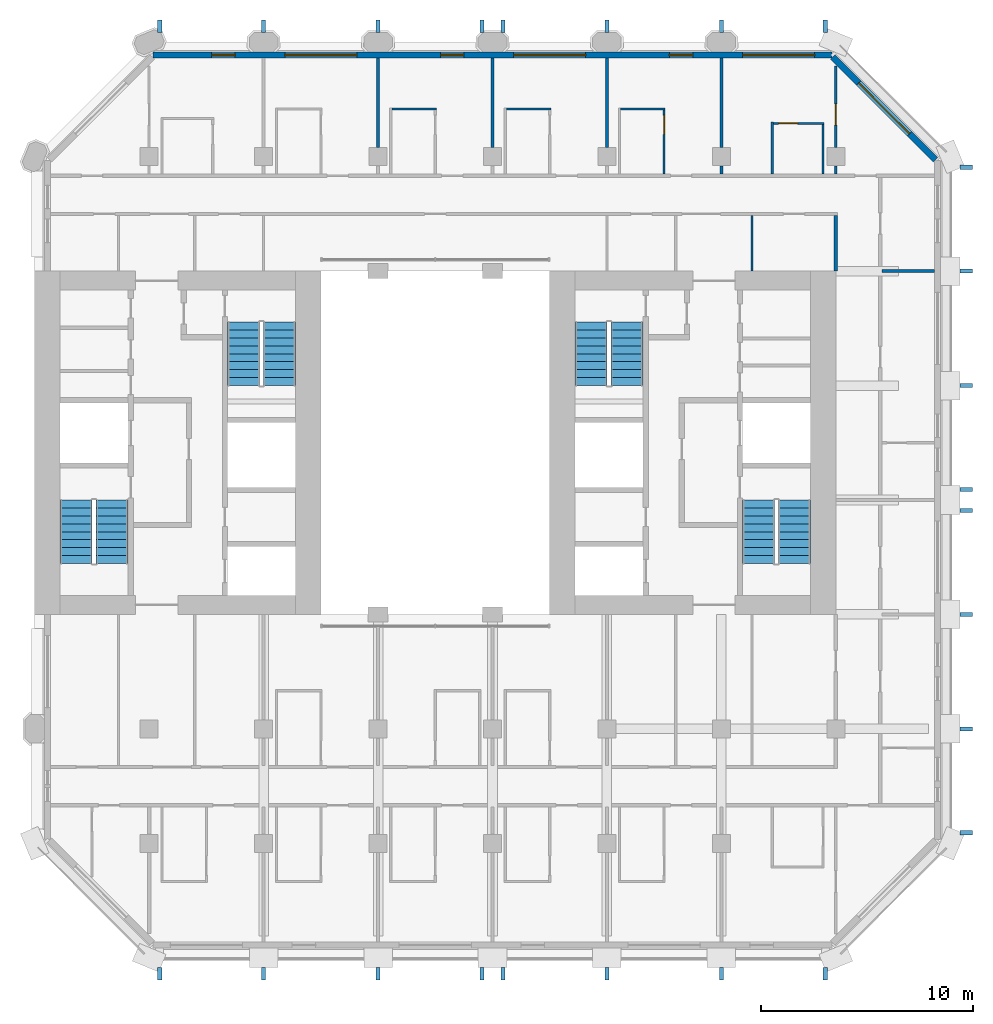
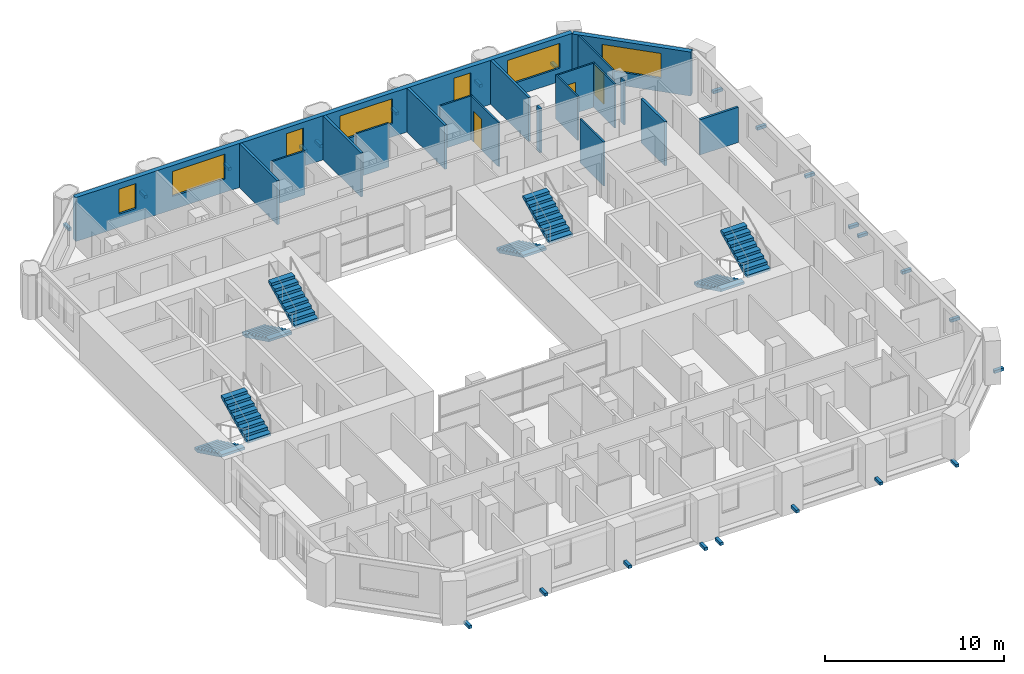
# One storey, part 11 of 13: 24 discrete accessories, 19 walls, 8 stair flights, 7 windows, 3 doors, 10 openings, 4 elements without a shape of their own.
"""IFC4 building model written with IfcOpenShell, lengths in metres."""

import ifcopenshell
import ifcopenshell.guid

model = None  # the IFC model being written
_history = None  # IfcOwnerHistory: only IFC2X3 demands one
_inside = {}  # id of a spatial element -> (the spatial element, [elements in it])
_under = {}  # id of a project, library or spatial element -> (it, [spatial elements below it])
_declared = {}  # id of a project -> (the project, [libraries it declares])
_typed = {}  # id of a type object -> (the type object, [elements of that type])
_made_of = {}  # id of a material, layer set ... -> (it, [elements and type objects made of it])


def new_model(schema):
    """Start an empty IFC model of exactly this schema.

    Asked for "IFC4X3", IfcOpenShell would pick the latest addendum, in which some entities
    have other attributes; the version numbers below select the first issue.
    IFC2X3 requires an IfcOwnerHistory on every rooted entity: one is made here for all.
    """
    global model, _history
    if schema == "IFC4X3":
        model = ifcopenshell.file(schema_version=(4, 3, 0, 0))
    else:
        model = ifcopenshell.file(schema=schema)
    _inside.clear()
    _under.clear()
    _declared.clear()
    _typed.clear()
    _made_of.clear()
    _history = None
    if model.schema == "IFC2X3":
        org = make("IfcOrganization", Name="unknown")
        user = make(
            "IfcPersonAndOrganization",
            ThePerson=make("IfcPerson", FamilyName="unknown"),
            TheOrganization=org,
        )
        app = make(
            "IfcApplication",
            ApplicationDeveloper=org,
            Version="unknown",
            ApplicationFullName="unknown",
            ApplicationIdentifier="unknown",
        )
        _history = make(
            "IfcOwnerHistory",
            OwningUser=user,
            OwningApplication=app,
            ChangeAction="ADDED",
            CreationDate=0,
        )
    return model


def make(cls, **values):
    """One entity of the class cls with the attributes given. An attribute that is None is left unset."""
    return model.create_entity(
        cls, **{name: value for name, value in values.items() if value is not None}
    )


def rooted(cls, **values):
    """An entity with a GlobalId (a new one), such as an element, a storey or a relation."""
    return make(cls, GlobalId=ifcopenshell.guid.new(), OwnerHistory=_history, **values)


def si_unit(unit_type, name, prefix=None):
    """IfcSIUnit, for example si_unit("LENGTHUNIT", "METRE", prefix="MILLI")."""
    return make("IfcSIUnit", UnitType=unit_type, Prefix=prefix, Name=name)


def assignment(units):
    """IfcUnitAssignment: the units of a project."""
    return None if units is None else make("IfcUnitAssignment", Units=units)


def point(xyz):
    """IfcCartesianPoint."""
    return None if xyz is None else make("IfcCartesianPoint", Coordinates=xyz)


def direction(xyz):
    """IfcDirection."""
    return None if xyz is None else make("IfcDirection", DirectionRatios=xyz)


def frame(location, z_axis=None, x_axis=None):
    """IfcAxis2Placement3D, a coordinate frame: its origin and axes. An axis left out is left unset."""
    return make(
        "IfcAxis2Placement3D",
        Location=point(location),
        Axis=direction(z_axis),
        RefDirection=direction(x_axis),
    )


def frame_2d(location, x_axis=None):
    """IfcAxis2Placement2D, a coordinate frame in the plane: its origin and x axis."""
    return make(
        "IfcAxis2Placement2D", Location=point(location), RefDirection=direction(x_axis)
    )


def origin():
    """The frame at (0, 0, 0) with its axes left unset."""
    return frame((0.0, 0.0, 0.0))


def origin_2d():
    """The frame at (0, 0) in the plane with its x axis left unset."""
    return frame_2d((0.0, 0.0))


def place(relative_to, where):
    """IfcLocalPlacement: puts the frame where relative to a parent placement (None: the world)."""
    return make(
        "IfcLocalPlacement", PlacementRelTo=relative_to, RelativePlacement=where
    )


def context(
    kind, dimensions, precision=None, world=None, true_north=None, identifier=None
):
    """IfcGeometricRepresentationContext, for example the 3D "Model" context."""
    return make(
        "IfcGeometricRepresentationContext",
        ContextIdentifier=identifier,
        ContextType=kind,
        CoordinateSpaceDimension=dimensions,
        Precision=precision,
        WorldCoordinateSystem=world,
        TrueNorth=true_north,
    )


def subcontext(parent, identifier, kind, view, scale=None):
    """IfcGeometricRepresentationSubContext, for example "Body" below "Model"."""
    return make(
        "IfcGeometricRepresentationSubContext",
        ContextIdentifier=identifier,
        ContextType=kind,
        ParentContext=parent,
        TargetScale=scale,
        TargetView=view,
    )


def project(units=None, contexts=None):
    """IfcProject with its units and contexts."""
    return rooted(
        "IfcProject",
        Name="project",
        RepresentationContexts=contexts,
        UnitsInContext=assignment(units),
    )


def spatial(cls, under=None, at=None, **own):
    """A site, building, storey or space (cls), placed at a placement, below another one or the project."""
    s = rooted(cls, ObjectPlacement=at, **own)
    if under is not None:
        _under.setdefault(under.id(), (under, []))[1].append(s)
    return s


def polyline(points):
    """IfcPolyline through the points."""
    return make("IfcPolyline", Points=[point(p) for p in points])


def profile(cls, at=None, kind="AREA", **sizes):
    """A parametric profile (cls). Its sizes go by their IFC names, for example OverallWidth=200.0."""
    return make(cls, ProfileType=kind, Position=at, **sizes)


def rectangle(**sizes):
    """IfcRectangleProfileDef."""
    return profile("IfcRectangleProfileDef", **sizes)


def outline(outer, holes=None, kind="AREA"):
    """IfcArbitraryClosedProfileDef: a profile drawn as a closed curve; with holes, ...WithVoids."""
    if holes is None:
        return make("IfcArbitraryClosedProfileDef", ProfileType=kind, OuterCurve=outer)
    return make(
        "IfcArbitraryProfileDefWithVoids",
        ProfileType=kind,
        OuterCurve=outer,
        InnerCurves=holes,
    )


def extrude(swept, where, along, depth):
    """IfcExtrudedAreaSolid: the profile swept, set in the frame where, extruded along a direction by depth."""
    return make(
        "IfcExtrudedAreaSolid",
        SweptArea=swept,
        Position=where,
        ExtrudedDirection=direction(along),
        Depth=depth,
    )


def shape(context_of_items, identifier, shape_type, items):
    """IfcShapeRepresentation: the items that make up one representation, for example the "Body"."""
    return make(
        "IfcShapeRepresentation",
        ContextOfItems=context_of_items,
        RepresentationIdentifier=identifier,
        RepresentationType=shape_type,
        Items=items,
    )


def material(Name=None, Category=None):
    """IfcMaterial."""
    return make("IfcMaterial", Name=Name, Category=Category)


def layer(
    of_material, thickness, ventilated=None, Name=None, Category=None, Priority=None
):
    """IfcMaterialLayer: one layer of a wall or slab, of a material (None: an air gap)."""
    return make(
        "IfcMaterialLayer",
        Material=of_material,
        LayerThickness=thickness,
        IsVentilated=ventilated,
        Name=Name,
        Category=Category,
        Priority=Priority,
    )


def layer_set(layers, Name=None):
    """IfcMaterialLayerSet."""
    return make("IfcMaterialLayerSet", MaterialLayers=layers, LayerSetName=Name)


def made_of(thing, what):
    """Note that an element or type object is made of a material, layer set ...; save() writes the relation."""
    if what is not None:
        _made_of.setdefault(what.id(), (what, []))[1].append(thing)
    return thing


def type_object(cls, material=None, **own):
    """A type object (cls), such as IfcWallType, which elements share."""
    return made_of(rooted(cls, **own), material)


def element(
    cls,
    number,
    at=None,
    inside=None,
    cuts=None,
    type_object=None,
    material=None,
    context=None,
    identifier="Body",
    shape_type=None,
    held_by="IfcProductDefinitionShape",
    body=None,
    shapes=None,
    **own,
):
    """One element of the class cls, such as IfcWall. Its Tag is "e" and its number.

    at: its placement. inside: the storey or other place that contains it. cuts: it is an
    opening in that element (IfcRelVoidsElement). A single representation is given by context,
    identifier, shape_type and body (its items); several are given by shapes. held_by: the class
    of the entity that holds the representations. save() writes the other relations.
    """
    e = rooted(cls, Tag="e%d" % number, ObjectPlacement=at, **own)
    if body is not None:
        shapes = [shape(context, identifier, shape_type, body)]
    if shapes is not None:
        e.Representation = make(held_by, Representations=shapes)
    if inside is not None:
        _inside.setdefault(inside.id(), (inside, []))[1].append(e)
    if cuts is not None:
        rooted(
            "IfcRelVoidsElement", RelatingBuildingElement=cuts, RelatedOpeningElement=e
        )
    if type_object is not None:
        _typed.setdefault(type_object.id(), (type_object, []))[1].append(e)
    return made_of(e, material)


def fill(opening, filler):
    """IfcRelFillsElement: the door or window that sits in an opening."""
    return rooted(
        "IfcRelFillsElement",
        RelatingOpeningElement=opening,
        RelatedBuildingElement=filler,
    )


def aggregate(whole, parts):
    """IfcRelAggregates: a whole, such as a stair, and the parts it consists of."""
    return rooted("IfcRelAggregates", RelatingObject=whole, RelatedObjects=parts)


def save(model, path):
    """Write the relations noted so far, then the file.

    IfcRelAggregates (storeys below a building ...), IfcRelContainedInSpatialStructure (elements
    in a storey), IfcRelDefinesByType, IfcRelAssociatesMaterial and IfcRelDeclares: one each for
    every whole, place, type object, material and project.
    """
    for whole, parts in _under.values():
        aggregate(whole, parts)
    for where, things in _inside.values():
        rooted(
            "IfcRelContainedInSpatialStructure",
            RelatedElements=things,
            RelatingStructure=where,
        )
    for kind, things in _typed.values():
        rooted("IfcRelDefinesByType", RelatedObjects=things, RelatingType=kind)
    for what, things in _made_of.values():
        rooted("IfcRelAssociatesMaterial", RelatedObjects=things, RelatingMaterial=what)
    for by, libraries in _declared.values():
        rooted("IfcRelDeclares", RelatingContext=by, RelatedDefinitions=libraries)
    model.write(path)


model = new_model("IFC4")

# Units and contexts
model_context = context("Model", 3, precision=1e-05, world=origin(), true_north=direction((0.0, 1.0)))
body_context = subcontext(model_context, "Body", "Model", "MODEL_VIEW")
ifc_project = project(units=[si_unit("LENGTHUNIT", "METRE"), si_unit("AREAUNIT", "SQUARE_METRE"), si_unit("VOLUMEUNIT", "CUBIC_METRE"), si_unit("PLANEANGLEUNIT", "RADIAN"), si_unit("MASSUNIT", "GRAM", prefix="KILO")], contexts=[model_context])

# Site, building, storey
site_placement = place(None, origin())
site = spatial("IfcSite", under=ifc_project, at=site_placement, CompositionType="ELEMENT")
building_placement = place(site_placement, origin())
building = spatial("IfcBuilding", under=site, at=building_placement, Name="Tabaq Tower and Sports Hall", CompositionType="ELEMENT")
storey_placement = place(building_placement, frame((0.0, 0.0, 159.39990234375)))
storey = spatial("IfcBuildingStorey", under=building, at=storey_placement, Name="L37", CompositionType="ELEMENT", Elevation=159.39990234375)

# Walls
ifc_material_1 = material(Name="Gypsum board on steel studs", Category="steel")
ifc_layer_1 = layer(ifc_material_1, 0.10009765625)
ifc_layer_set_1 = layer_set([ifc_layer_1], Name="Partition 100 Gypsum board")
wall_type_1 = type_object("IfcWallType", Name="Partition 100 Gypsum board", PredefinedType="PARTITIONING", material=ifc_layer_set_1)
for number, where, z_axis, x_axis, name in (
    (1, (22.25, 40.050048828125, 0.0), (0.0, 0.0, 1.0), (1.0, 0.0, 0.0), "Partition wall L37"),
    (2, (27.64990234375, 40.050048828125, 0.0), (0.0, 0.0, 1.0), (1.0, 0.0, 0.0), "Partition wall L37"),
):
    element("IfcWall", number, at=place(storey_placement, frame(where, z_axis=z_axis, x_axis=x_axis)), inside=storey, type_object=wall_type_1, Name=name, PredefinedType="PARTITIONING", context=body_context, shape_type="SweptSolid", body=[
        extrude(rectangle(XDim=2.10009765625, YDim=0.10009765625, at=frame_2d((1.050048828125, 0.0))), origin(), (0.0, 0.0, 1.0), 3.0),
    ])
wall_1_placement = place(storey_placement, frame((33.050048828125, 40.050048828125, 0.0), z_axis=(0.0, 0.0, 1.0), x_axis=(1.0, 0.0, 0.0)))
element("IfcWall", 3, at=wall_1_placement, inside=storey, type_object=wall_type_1, Name="Partition wall L37", PredefinedType="PARTITIONING", context=body_context, shape_type="SweptSolid", body=[
    extrude(rectangle(XDim=2.099853515625, YDim=0.10009765625, at=frame_2d((1.0498046875, 0.0))), origin(), (0.0, 0.0, 1.0), 3.0),
])

# Wall, opening, door
wall_2_placement = place(storey_placement, frame((35.10009765625, 40.0, 0.0), z_axis=(0.0, 0.0, 1.0), x_axis=(0.0, -1.0, 0.0)))
wall_2 = element("IfcWall", 4, at=wall_2_placement, inside=storey, type_object=wall_type_1, Name="Partition wall L37", PredefinedType="PARTITIONING", context=body_context, shape_type="SweptSolid", body=[
    extrude(rectangle(XDim=3.02490234375, YDim=0.10009765625, at=frame_2d((1.512451171875, 0.0))), origin(), (0.0, 0.0, 1.0), 3.0),
])
opening_1_placement = place(wall_2_placement, frame((0.25, 0.0, 0.0)))
opening_1 = element("IfcOpeningElement", 5, at=opening_1_placement, cuts=wall_2, Name="Opening L37-006", PredefinedType="OPENING", context=body_context, shape_type="SweptSolid", body=[
    extrude(rectangle(XDim=0.89990234375, YDim=2.10009765625, at=frame_2d((0.449951171875, 1.050048828125))), frame((0.0, 0.050048828125, 0.0), z_axis=(0.0, -1.0, 0.0), x_axis=(1.0, 0.0, 0.0)), (0.0, 0.0, 1.0), 0.10009765625),
])
ifc_material_2 = material(Name="Timber leaf in steel frame", Category="steel")
door_type_1 = type_object("IfcDoorType", Name="Internal door 900 left hand", OperationType="SINGLE_SWING_LEFT", PredefinedType="DOOR", material=ifc_material_2)
door_1_placement = place(opening_1_placement, origin())
door_1 = element("IfcDoor", 6, at=door_1_placement, inside=storey, type_object=door_type_1, Name="Internal door L37-006", OperationType="SINGLE_SWING_LEFT", OverallHeight=2.10009765625, OverallWidth=0.89990234375, PredefinedType="DOOR", context=body_context, shape_type="SweptSolid", body=[
    extrude(rectangle(XDim=0.89990234375, YDim=2.10009765625, at=frame_2d((0.449951171875, 1.050048828125))), frame((0.0, 0.02490234375, 0.0), z_axis=(0.0, -1.0, 0.0), x_axis=(1.0, 0.0, 0.0)), (0.0, 0.0, 1.0), 0.050048828125),
])
fill(opening_1, door_1)

# Wall
wall_3_placement = place(storey_placement, frame((40.199951171875, 36.97509765625, 0.0), z_axis=(0.0, 0.0, 1.0), x_axis=(0.0, 1.0, 0.0)))
element("IfcWall", 7, at=wall_3_placement, inside=storey, type_object=wall_type_1, Name="Partition wall L37", PredefinedType="PARTITIONING", context=body_context, shape_type="SweptSolid", body=[
    extrude(rectangle(XDim=2.449951171875, YDim=0.10009765625, at=frame_2d((1.22509765625, 0.0))), origin(), (0.0, 0.0, 1.0), 3.0),
])

# Wall, opening, door
wall_4_placement = place(storey_placement, frame((40.25, 39.375, 0.0), z_axis=(0.0, 0.0, 1.0), x_axis=(1.0, 0.0, 0.0)))
wall_4 = element("IfcWall", 8, at=wall_4_placement, inside=storey, type_object=wall_type_1, Name="Partition wall L37", PredefinedType="PARTITIONING", context=body_context, shape_type="SweptSolid", body=[
    extrude(rectangle(XDim=2.39990234375, YDim=0.10009765625, at=frame_2d((1.199951171875, 0.0))), origin(), (0.0, 0.0, 1.0), 3.0),
])
opening_2_placement = place(wall_4_placement, frame((0.25, 0.0, 0.0)))
opening_2 = element("IfcOpeningElement", 9, at=opening_2_placement, cuts=wall_4, Name="Opening L37-007", PredefinedType="OPENING", context=body_context, shape_type="SweptSolid", body=[
    extrude(rectangle(XDim=0.89990234375, YDim=2.10009765625, at=frame_2d((0.449951171875, 1.050048828125))), frame((0.0, 0.050048828125, 0.0), z_axis=(0.0, -1.0, 0.0), x_axis=(1.0, 0.0, 0.0)), (0.0, 0.0, 1.0), 0.10009765625),
])
door_2_placement = place(opening_2_placement, origin())
door_2 = element("IfcDoor", 10, at=door_2_placement, inside=storey, type_object=door_type_1, Name="Internal door L37-007", OperationType="SINGLE_SWING_LEFT", OverallHeight=2.10009765625, OverallWidth=0.89990234375, PredefinedType="DOOR", context=body_context, shape_type="SweptSolid", body=[
    extrude(rectangle(XDim=0.89990234375, YDim=2.10009765625, at=frame_2d((0.449951171875, 1.050048828125))), frame((0.0, 0.02490234375, 0.0), z_axis=(0.0, -1.0, 0.0), x_axis=(1.0, 0.0, 0.0)), (0.0, 0.0, 1.0), 0.050048828125),
])
fill(opening_2, door_2)

# Walls
wall_5_placement = place(storey_placement, frame((42.60009765625, 39.324951171875, 0.0), z_axis=(0.0, 0.0, 1.0), x_axis=(0.0, -1.0, 0.0)))
element("IfcWall", 11, at=wall_5_placement, inside=storey, type_object=wall_type_1, Name="Partition wall L37", PredefinedType="PARTITIONING", context=body_context, shape_type="SweptSolid", body=[
    extrude(rectangle(XDim=2.349853515625, YDim=0.10009765625, at=frame_2d((1.1748046875, 0.0))), origin(), (0.0, 0.0, 1.0), 3.0),
])
wall_6_placement = place(storey_placement, frame((43.199951171875, 36.97509765625, 0.0), z_axis=(0.0, 0.0, 1.0), x_axis=(0.0, 1.0, 0.0)))
element("IfcWall", 12, at=wall_6_placement, inside=storey, type_object=wall_type_1, Name="Partition wall L37", PredefinedType="PARTITIONING", context=body_context, shape_type="SweptSolid", body=[
    extrude(rectangle(XDim=0.3798828125, YDim=0.10009765625, at=frame_2d((0.18994140625, 0.0))), origin(), (0.0, 0.0, 1.0), 3.0),
])

# Wall, opening, door
wall_7_placement = place(storey_placement, frame((43.199951171875, 38.2451171875, 0.0), z_axis=(0.0, 0.0, 1.0), x_axis=(0.0, 1.0, 0.0)))
wall_7 = element("IfcWall", 13, at=wall_7_placement, inside=storey, type_object=wall_type_1, Name="Partition wall L37", PredefinedType="PARTITIONING", context=body_context, shape_type="SweptSolid", body=[
    extrude(rectangle(XDim=3.8427734375, YDim=0.10009765625, at=frame_2d((1.92138671875, 0.0))), origin(), (0.0, 0.0, 1.0), 3.0),
])
opening_3_placement = place(wall_7_placement, frame((1.04248046875, 0.0, 0.0)))
opening_3 = element("IfcOpeningElement", 14, at=opening_3_placement, cuts=wall_7, Name="Opening L37-036", PredefinedType="OPENING", context=body_context, shape_type="SweptSolid", body=[
    extrude(rectangle(XDim=1.0, YDim=2.10009765625, at=frame_2d((0.5, 1.050048828125))), frame((0.0, 0.050048828125, 0.0), z_axis=(0.0, -1.0, 0.0), x_axis=(1.0, 0.0, 0.0)), (0.0, 0.0, 1.0), 0.10009765625),
])
ifc_material_3 = material(Name="Timber leaf in steel frame", Category="steel")
door_type_2 = type_object("IfcDoorType", Name="Internal door 1000 left hand", OperationType="SINGLE_SWING_LEFT", PredefinedType="DOOR", material=ifc_material_3)
door_3_placement = place(opening_3_placement, origin())
door_3 = element("IfcDoor", 15, at=door_3_placement, inside=storey, type_object=door_type_2, Name="Internal door L37-036", OperationType="SINGLE_SWING_LEFT", OverallHeight=2.10009765625, OverallWidth=1.0, PredefinedType="DOOR", context=body_context, shape_type="SweptSolid", body=[
    extrude(rectangle(XDim=1.0, YDim=2.10009765625, at=frame_2d((0.5, 1.050048828125))), frame((0.0, 0.02490234375, 0.0), z_axis=(0.0, -1.0, 0.0), x_axis=(1.0, 0.0, 0.0)), (0.0, 0.0, 1.0), 0.050048828125),
])
fill(opening_3, door_3)

# Walls
wall_8_placement = place(storey_placement, frame((39.25, 32.39990234375, 0.0), z_axis=(0.0, 0.0, 1.0), x_axis=(0.0, 1.0, 0.0)))
element("IfcWall", 16, at=wall_8_placement, inside=storey, type_object=wall_type_1, Name="Partition wall L37", PredefinedType="PARTITIONING", context=body_context, shape_type="SweptSolid", body=[
    extrude(rectangle(XDim=2.625, YDim=0.10009765625, at=frame_2d((1.3125, 0.0))), origin(), (0.0, 0.0, 1.0), 3.0),
])
ifc_material_4 = material(Name="Blockwork", Category="masonry")
ifc_layer_2 = layer(ifc_material_4, 0.14990234375)
ifc_layer_set_2 = layer_set([ifc_layer_2], Name="Separating wall 150 Blockwork")
wall_type_2 = type_object("IfcWallType", Name="Separating wall 150 Blockwork", PredefinedType="PARTITIONING", material=ifc_layer_set_2)
wall_9_placement = place(storey_placement, frame((45.375, 32.39990234375, 0.0), z_axis=(0.0, 0.0, 1.0), x_axis=(1.0, 0.0, 0.0)))
element("IfcWall", 17, at=wall_9_placement, inside=storey, type_object=wall_type_2, Name="Separating wall L37", PredefinedType="PARTITIONING", context=body_context, shape_type="SweptSolid", body=[
    extrude(rectangle(XDim=2.47412109375, YDim=0.14990234375, at=frame_2d((1.237060546875, 0.0))), origin(), (0.0, 0.0, 1.0), 2.400146484375),
])
for number, where, z_axis, x_axis, name in (
    (18, (21.60009765625, 38.2451171875, 0.0), (0.0, 0.0, 1.0), (0.0, 1.0, 0.0), "Separating wall L37"),
    (19, (27.0, 38.2451171875, 0.0), (0.0, 0.0, 1.0), (0.0, 1.0, 0.0), "Separating wall L37"),
    (20, (32.39990234375, 38.2451171875, 0.0), (0.0, 0.0, 1.0), (0.0, 1.0, 0.0), "Separating wall L37"),
):
    element("IfcWall", number, at=place(storey_placement, frame(where, z_axis=z_axis, x_axis=x_axis)), inside=storey, type_object=wall_type_2, Name=name, PredefinedType="PARTITIONING", context=body_context, shape_type="SweptSolid", body=[
        extrude(rectangle(XDim=4.203857421875, YDim=0.14990234375, at=frame_2d((2.10205078125, 0.0))), origin(), (0.0, 0.0, 1.0), 3.0),
    ])
wall_10_placement = place(storey_placement, frame((37.800048828125, 36.97509765625, 0.0), z_axis=(0.0, 0.0, 1.0), x_axis=(0.0, 1.0, 0.0)))
element("IfcWall", 21, at=wall_10_placement, inside=storey, type_object=wall_type_2, Name="Separating wall L37", PredefinedType="PARTITIONING", context=body_context, shape_type="SweptSolid", body=[
    extrude(rectangle(XDim=0.3798828125, YDim=0.14990234375, at=frame_2d((0.18994140625, 0.0))), origin(), (0.0, 0.0, 1.0), 3.0),
])
wall_11_placement = place(storey_placement, frame((37.800048828125, 38.2451171875, 0.0), z_axis=(0.0, 0.0, 1.0), x_axis=(0.0, 1.0, 0.0)))
element("IfcWall", 22, at=wall_11_placement, inside=storey, type_object=wall_type_2, Name="Separating wall L37", PredefinedType="PARTITIONING", context=body_context, shape_type="SweptSolid", body=[
    extrude(rectangle(XDim=4.203857421875, YDim=0.14990234375, at=frame_2d((2.10205078125, 0.0))), origin(), (0.0, 0.0, 1.0), 3.0),
])
wall_12_placement = place(storey_placement, frame((43.199951171875, 35.02490234375, 0.0), z_axis=(0.0, 0.0, 1.0), x_axis=(0.0, -1.0, 0.0)))
element("IfcWall", 23, at=wall_12_placement, inside=storey, type_object=wall_type_2, Name="Separating wall L37", PredefinedType="PARTITIONING", context=body_context, shape_type="SweptSolid", body=[
    extrude(rectangle(XDim=2.625, YDim=0.14990234375, at=frame_2d((1.3125, 0.0))), origin(), (0.0, 0.0, 1.0), 3.0),
])

# Wall, opening, window
ifc_material_5 = material(Name="White precast concrete C60/75", Category="concrete")
ifc_layer_3 = layer(ifc_material_5, 0.300048828125)
ifc_layer_set_3 = layer_set([ifc_layer_3], Name="White precast concrete C60/75 external wall 300")
wall_type_3 = type_object("IfcWallType", Name="White precast concrete C60/75 external wall 300", PredefinedType="SOLIDWALL", material=ifc_layer_set_3)
wall_13_placement = place(storey_placement, frame((47.901123046875, 37.650390625, 0.0), z_axis=(0.0, 0.0, 1.0), x_axis=(-0.707106781187, 0.707106781187, 0.0)))
wall_13 = element("IfcWall", 24, at=wall_13_placement, inside=storey, type_object=wall_type_3, Name="External Wall L37 NE", PredefinedType="SOLIDWALL", context=body_context, shape_type="SweptSolid", body=[
    extrude(rectangle(XDim=6.85986328125, YDim=0.300048828125, at=frame_2d((3.429931640625, 0.0))), origin(), (0.0, 0.0, 1.0), 3.0),
])
opening_4_placement = place(wall_13_placement, frame((1.729736328125, 0.0, 0.89990234375)))
opening_4 = element("IfcOpeningElement", 25, at=opening_4_placement, cuts=wall_13, Name="Opening W1A", PredefinedType="OPENING", context=body_context, shape_type="SweptSolid", body=[
    extrude(rectangle(XDim=3.39990234375, YDim=1.699951171875, at=frame_2d((1.699951171875, 0.85009765625))), frame((0.0, 0.16015625, 0.0), z_axis=(0.0, -1.0, 0.0), x_axis=(1.0, 0.0, 0.0)), (0.0, 0.0, 1.0), 0.320068359375),
])
ifc_material_6 = material(Name="Aluminium framed clear glazing", Category="aluminium")
window_type_1 = type_object("IfcWindowType", Name="Window W1A", PartitioningType="SINGLE_PANEL", PredefinedType="WINDOW", material=ifc_material_6)
window_1_placement = place(opening_4_placement, origin())
window_1 = element("IfcWindow", 26, at=window_1_placement, inside=storey, type_object=window_type_1, Name="Window W1A L37", OverallHeight=1.699951171875, OverallWidth=3.39990234375, PartitioningType="SINGLE_PANEL", PredefinedType="WINDOW", context=body_context, shape_type="SweptSolid", body=[
    extrude(rectangle(XDim=3.39990234375, YDim=1.699951171875, at=frame_2d((1.699951171875, 0.85009765625))), frame((0.0, 0.030029296875, 0.0), z_axis=(0.0, -1.0, 0.0), x_axis=(1.0, 0.0, 0.0)), (0.0, 0.0, 1.0), 0.06005859375),
])
fill(opening_4, window_1)

# Wall, openings, windows
wall_14_placement = place(storey_placement, frame((43.013671875, 42.60009765625, 0.0), z_axis=(0.0, 0.0, 1.0), x_axis=(-1.0, 0.0, 0.0)))
wall_14 = element("IfcWall", 27, at=wall_14_placement, inside=storey, type_object=wall_type_3, Name="External Wall L37 N", PredefinedType="SOLIDWALL", context=body_context, shape_type="SweptSolid", body=[
    extrude(rectangle(XDim=32.02734375, YDim=0.300048828125, at=frame_2d((16.013671875, 0.0))), origin(), (0.0, 0.0, 1.0), 3.0),
])
opening_5_placement = place(wall_14_placement, frame((0.813720703125, 0.0, 0.89990234375)))
opening_5 = element("IfcOpeningElement", 28, at=opening_5_placement, cuts=wall_14, Name="Opening W1A", PredefinedType="OPENING", context=body_context, shape_type="SweptSolid", body=[
    extrude(rectangle(XDim=3.39990234375, YDim=1.699951171875, at=frame_2d((1.699951171875, 0.85009765625))), frame((0.0, 0.16015625, 0.0), z_axis=(0.0, -1.0, 0.0), x_axis=(1.0, 0.0, 0.0)), (0.0, 0.0, 1.0), 0.320068359375),
])
opening_6_placement = place(wall_14_placement, frame((6.563720703125, 0.0, 0.89990234375)))
opening_6 = element("IfcOpeningElement", 29, at=opening_6_placement, cuts=wall_14, Name="Opening W1B", PredefinedType="OPENING", context=body_context, shape_type="SweptSolid", body=[
    extrude(rectangle(XDim=1.10009765625, YDim=1.699951171875, at=frame_2d((0.550048828125, 0.85009765625))), frame((0.0, 0.16015625, 0.0), z_axis=(0.0, -1.0, 0.0), x_axis=(1.0, 0.0, 0.0)), (0.0, 0.0, 1.0), 0.320068359375),
])
opening_7_placement = place(wall_14_placement, frame((11.613525390625, 0.0, 0.89990234375)))
opening_7 = element("IfcOpeningElement", 30, at=opening_7_placement, cuts=wall_14, Name="Opening W1A", PredefinedType="OPENING", context=body_context, shape_type="SweptSolid", body=[
    extrude(rectangle(XDim=3.39990234375, YDim=1.699951171875, at=frame_2d((1.699951171875, 0.85009765625))), frame((0.0, 0.16015625, 0.0), z_axis=(0.0, -1.0, 0.0), x_axis=(1.0, 0.0, 0.0)), (0.0, 0.0, 1.0), 0.320068359375),
])
opening_8_placement = place(wall_14_placement, frame((17.363525390625, 0.0, 0.89990234375)))
opening_8 = element("IfcOpeningElement", 31, at=opening_8_placement, cuts=wall_14, Name="Opening W1B", PredefinedType="OPENING", context=body_context, shape_type="SweptSolid", body=[
    extrude(rectangle(XDim=1.10009765625, YDim=1.699951171875, at=frame_2d((0.550048828125, 0.85009765625))), frame((0.0, 0.16015625, 0.0), z_axis=(0.0, -1.0, 0.0), x_axis=(1.0, 0.0, 0.0)), (0.0, 0.0, 1.0), 0.320068359375),
])
opening_9_placement = place(wall_14_placement, frame((22.41357421875, 0.0, 0.89990234375)))
opening_9 = element("IfcOpeningElement", 32, at=opening_9_placement, cuts=wall_14, Name="Opening W1A", PredefinedType="OPENING", context=body_context, shape_type="SweptSolid", body=[
    extrude(rectangle(XDim=3.39990234375, YDim=1.699951171875, at=frame_2d((1.699951171875, 0.85009765625))), frame((0.0, 0.16015625, 0.0), z_axis=(0.0, -1.0, 0.0), x_axis=(1.0, 0.0, 0.0)), (0.0, 0.0, 1.0), 0.320068359375),
])
opening_10_placement = place(wall_14_placement, frame((28.16357421875, 0.0, 0.89990234375)))
opening_10 = element("IfcOpeningElement", 33, at=opening_10_placement, cuts=wall_14, Name="Opening W1B", PredefinedType="OPENING", context=body_context, shape_type="SweptSolid", body=[
    extrude(rectangle(XDim=1.10009765625, YDim=1.699951171875, at=frame_2d((0.550048828125, 0.85009765625))), frame((0.0, 0.16015625, 0.0), z_axis=(0.0, -1.0, 0.0), x_axis=(1.0, 0.0, 0.0)), (0.0, 0.0, 1.0), 0.320068359375),
])
window_2_placement = place(opening_5_placement, origin())
window_2 = element("IfcWindow", 34, at=window_2_placement, inside=storey, type_object=window_type_1, Name="Window W1A L37", OverallHeight=1.699951171875, OverallWidth=3.39990234375, PartitioningType="SINGLE_PANEL", PredefinedType="WINDOW", context=body_context, shape_type="SweptSolid", body=[
    extrude(rectangle(XDim=3.39990234375, YDim=1.699951171875, at=frame_2d((1.699951171875, 0.85009765625))), frame((0.0, 0.030029296875, 0.0), z_axis=(0.0, -1.0, 0.0), x_axis=(1.0, 0.0, 0.0)), (0.0, 0.0, 1.0), 0.06005859375),
])
fill(opening_5, window_2)
window_3_placement = place(opening_7_placement, origin())
window_3 = element("IfcWindow", 35, at=window_3_placement, inside=storey, type_object=window_type_1, Name="Window W1A L37", OverallHeight=1.699951171875, OverallWidth=3.39990234375, PartitioningType="SINGLE_PANEL", PredefinedType="WINDOW", context=body_context, shape_type="SweptSolid", body=[
    extrude(rectangle(XDim=3.39990234375, YDim=1.699951171875, at=frame_2d((1.699951171875, 0.85009765625))), frame((0.0, 0.030029296875, 0.0), z_axis=(0.0, -1.0, 0.0), x_axis=(1.0, 0.0, 0.0)), (0.0, 0.0, 1.0), 0.06005859375),
])
fill(opening_7, window_3)
window_4_placement = place(opening_9_placement, origin())
window_4 = element("IfcWindow", 36, at=window_4_placement, inside=storey, type_object=window_type_1, Name="Window W1A L37", OverallHeight=1.699951171875, OverallWidth=3.39990234375, PartitioningType="SINGLE_PANEL", PredefinedType="WINDOW", context=body_context, shape_type="SweptSolid", body=[
    extrude(rectangle(XDim=3.39990234375, YDim=1.699951171875, at=frame_2d((1.699951171875, 0.85009765625))), frame((0.0, 0.030029296875, 0.0), z_axis=(0.0, -1.0, 0.0), x_axis=(1.0, 0.0, 0.0)), (0.0, 0.0, 1.0), 0.06005859375),
])
fill(opening_9, window_4)
ifc_material_7 = material(Name="Aluminium framed clear glazing", Category="aluminium")
window_type_2 = type_object("IfcWindowType", Name="Window W1B", PartitioningType="SINGLE_PANEL", PredefinedType="WINDOW", material=ifc_material_7)
window_5_placement = place(opening_6_placement, origin())
window_5 = element("IfcWindow", 37, at=window_5_placement, inside=storey, type_object=window_type_2, Name="Window W1B L37", OverallHeight=1.699951171875, OverallWidth=1.10009765625, PartitioningType="SINGLE_PANEL", PredefinedType="WINDOW", context=body_context, shape_type="SweptSolid", body=[
    extrude(rectangle(XDim=1.10009765625, YDim=1.699951171875, at=frame_2d((0.550048828125, 0.85009765625))), frame((0.0, 0.030029296875, 0.0), z_axis=(0.0, -1.0, 0.0), x_axis=(1.0, 0.0, 0.0)), (0.0, 0.0, 1.0), 0.06005859375),
])
fill(opening_6, window_5)
window_6_placement = place(opening_8_placement, origin())
window_6 = element("IfcWindow", 38, at=window_6_placement, inside=storey, type_object=window_type_2, Name="Window W1B L37", OverallHeight=1.699951171875, OverallWidth=1.10009765625, PartitioningType="SINGLE_PANEL", PredefinedType="WINDOW", context=body_context, shape_type="SweptSolid", body=[
    extrude(rectangle(XDim=1.10009765625, YDim=1.699951171875, at=frame_2d((0.550048828125, 0.85009765625))), frame((0.0, 0.030029296875, 0.0), z_axis=(0.0, -1.0, 0.0), x_axis=(1.0, 0.0, 0.0)), (0.0, 0.0, 1.0), 0.06005859375),
])
fill(opening_8, window_6)
window_7_placement = place(opening_10_placement, origin())
window_7 = element("IfcWindow", 39, at=window_7_placement, inside=storey, type_object=window_type_2, Name="Window W1B L37", OverallHeight=1.699951171875, OverallWidth=1.10009765625, PartitioningType="SINGLE_PANEL", PredefinedType="WINDOW", context=body_context, shape_type="SweptSolid", body=[
    extrude(rectangle(XDim=1.10009765625, YDim=1.699951171875, at=frame_2d((0.550048828125, 0.85009765625))), frame((0.0, 0.030029296875, 0.0), z_axis=(0.0, -1.0, 0.0), x_axis=(1.0, 0.0, 0.0)), (0.0, 0.0, 1.0), 0.06005859375),
])
fill(opening_10, window_7)

# Stair, stair flights
ifc_material_8 = material(Name="Concrete C40/50", Category="concrete")
stair_type = type_object("IfcStairType", Name="Exit stair", PredefinedType="HALF_TURN_STAIR", material=ifc_material_8)
stair_1_placement = place(storey_placement, origin())
stair_1 = element("IfcStair", 40, at=stair_1_placement, inside=storey, type_object=stair_type, Name="L37 Exit stair ST1", PredefinedType="HALF_TURN_STAIR")
ifc_material_9 = material(Name="Concrete C40/50", Category="concrete")
stair_flight_type = type_object("IfcStairFlightType", Name="Exit stair flight", PredefinedType="STRAIGHT", material=ifc_material_9)
stair_flight_1_placement = place(storey_placement, frame((7.35009765625, 21.60009765625, 0.0), z_axis=(0.0, 0.0, 1.0), x_axis=(0.0, -1.0, 0.0)))
stair_flight_1 = element("IfcStairFlight", 41, at=stair_flight_1_placement, type_object=stair_flight_type, Name="ST1 flight 1", NumberOfRisers=9, NumberOfTreads=8, PredefinedType="STRAIGHT", RiserHeight=0.183333333, TreadLength=0.375, context=body_context, shape_type="SweptSolid", body=[
    extrude(outline(polyline([(0.0, 0.0), (0.0, 0.183349609375), (0.375, 0.183349609375), (0.375, 0.36669921875), (0.75, 0.36669921875), (0.75, 0.550048828125), (1.125, 0.550048828125), (1.125, 0.7333984375), (1.5, 0.7333984375), (1.5, 0.916748046875), (1.875, 0.916748046875), (1.875, 1.10009765625), (2.25, 1.10009765625), (2.25, 1.283447265625), (2.625, 1.283447265625), (2.625, 1.466552734375), (3.0, 1.466552734375), (3.0, 1.64990234375), (3.0, 1.2998046875), (0.34130859375, 0.0), (0.0, 0.0)])), frame((0.0, 0.75, 0.0), z_axis=(0.0, -1.0, 0.0), x_axis=(1.0, 0.0, 0.0)), (0.0, 0.0, 1.0), 1.5),
])
stair_flight_2_placement = place(storey_placement, frame((9.050048828125, 18.60009765625, 1.650146484375), z_axis=(0.0, 0.0, 1.0), x_axis=(0.0, 1.0, 0.0)))
stair_flight_2 = element("IfcStairFlight", 42, at=stair_flight_2_placement, type_object=stair_flight_type, Name="ST1 flight 2", NumberOfRisers=9, NumberOfTreads=8, PredefinedType="STRAIGHT", RiserHeight=0.183333333, TreadLength=0.375, context=body_context, shape_type="SweptSolid", body=[
    extrude(outline(polyline([(0.0, 0.0), (0.0, 0.183349609375), (0.375, 0.183349609375), (0.375, 0.36669921875), (0.75, 0.36669921875), (0.75, 0.550048828125), (1.125, 0.550048828125), (1.125, 0.7333984375), (1.5, 0.7333984375), (1.5, 0.916748046875), (1.875, 0.916748046875), (1.875, 1.10009765625), (2.25, 1.10009765625), (2.25, 1.283447265625), (2.625, 1.283447265625), (2.625, 1.466552734375), (3.0, 1.466552734375), (3.0, 1.64990234375), (3.0, 1.2998046875), (0.34130859375, 0.0), (0.0, 0.0)])), frame((0.0, 0.75, 0.0), z_axis=(0.0, -1.0, 0.0), x_axis=(1.0, 0.0, 0.0)), (0.0, 0.0, 1.0), 1.5),
])
aggregate(stair_1, [stair_flight_1, stair_flight_2])

stair_2_placement = place(storey_placement, origin())
stair_2 = element("IfcStair", 43, at=stair_2_placement, inside=storey, type_object=stair_type, Name="L37 Exit stair ST2", PredefinedType="HALF_TURN_STAIR")
stair_flight_3_placement = place(storey_placement, frame((15.25, 30.0, 0.0), z_axis=(0.0, 0.0, 1.0), x_axis=(0.0, -1.0, 0.0)))
stair_flight_3 = element("IfcStairFlight", 44, at=stair_flight_3_placement, type_object=stair_flight_type, Name="ST2 flight 1", NumberOfRisers=9, NumberOfTreads=8, PredefinedType="STRAIGHT", RiserHeight=0.183333333, TreadLength=0.375, context=body_context, shape_type="SweptSolid", body=[
    extrude(outline(polyline([(0.0, 0.0), (0.0, 0.183349609375), (0.375, 0.183349609375), (0.375, 0.36669921875), (0.75, 0.36669921875), (0.75, 0.550048828125), (1.125, 0.550048828125), (1.125, 0.7333984375), (1.5, 0.7333984375), (1.5, 0.916748046875), (1.875, 0.916748046875), (1.875, 1.10009765625), (2.25, 1.10009765625), (2.25, 1.283447265625), (2.625, 1.283447265625), (2.625, 1.466552734375), (3.0, 1.466552734375), (3.0, 1.64990234375), (3.0, 1.2998046875), (0.34130859375, 0.0), (0.0, 0.0)])), frame((0.0, 0.75, 0.0), z_axis=(0.0, -1.0, 0.0), x_axis=(1.0, 0.0, 0.0)), (0.0, 0.0, 1.0), 1.5),
])
stair_flight_4_placement = place(storey_placement, frame((16.949951171875, 27.0, 1.650146484375), z_axis=(0.0, 0.0, 1.0), x_axis=(0.0, 1.0, 0.0)))
stair_flight_4 = element("IfcStairFlight", 45, at=stair_flight_4_placement, type_object=stair_flight_type, Name="ST2 flight 2", NumberOfRisers=9, NumberOfTreads=8, PredefinedType="STRAIGHT", RiserHeight=0.183333333, TreadLength=0.375, context=body_context, shape_type="SweptSolid", body=[
    extrude(outline(polyline([(0.0, 0.0), (0.0, 0.183349609375), (0.375, 0.183349609375), (0.375, 0.36669921875), (0.75, 0.36669921875), (0.75, 0.550048828125), (1.125, 0.550048828125), (1.125, 0.7333984375), (1.5, 0.7333984375), (1.5, 0.916748046875), (1.875, 0.916748046875), (1.875, 1.10009765625), (2.25, 1.10009765625), (2.25, 1.283447265625), (2.625, 1.283447265625), (2.625, 1.466552734375), (3.0, 1.466552734375), (3.0, 1.64990234375), (3.0, 1.2998046875), (0.34130859375, 0.0), (0.0, 0.0)])), frame((0.0, 0.75, 0.0), z_axis=(0.0, -1.0, 0.0), x_axis=(1.0, 0.0, 0.0)), (0.0, 0.0, 1.0), 1.5),
])
aggregate(stair_2, [stair_flight_3, stair_flight_4])

stair_3_placement = place(storey_placement, origin())
stair_3 = element("IfcStair", 46, at=stair_3_placement, inside=storey, type_object=stair_type, Name="L37 Exit stair ST3", PredefinedType="HALF_TURN_STAIR")
stair_flight_5_placement = place(storey_placement, frame((39.550048828125, 21.60009765625, 0.0), z_axis=(0.0, 0.0, 1.0), x_axis=(0.0, -1.0, 0.0)))
stair_flight_5 = element("IfcStairFlight", 47, at=stair_flight_5_placement, type_object=stair_flight_type, Name="ST3 flight 1", NumberOfRisers=9, NumberOfTreads=8, PredefinedType="STRAIGHT", RiserHeight=0.183333333, TreadLength=0.375, context=body_context, shape_type="SweptSolid", body=[
    extrude(outline(polyline([(0.0, 0.0), (0.0, 0.183349609375), (0.375, 0.183349609375), (0.375, 0.36669921875), (0.75, 0.36669921875), (0.75, 0.550048828125), (1.125, 0.550048828125), (1.125, 0.7333984375), (1.5, 0.7333984375), (1.5, 0.916748046875), (1.875, 0.916748046875), (1.875, 1.10009765625), (2.25, 1.10009765625), (2.25, 1.283447265625), (2.625, 1.283447265625), (2.625, 1.466552734375), (3.0, 1.466552734375), (3.0, 1.64990234375), (3.0, 1.2998046875), (0.34130859375, 0.0), (0.0, 0.0)])), frame((0.0, 0.75, 0.0), z_axis=(0.0, -1.0, 0.0), x_axis=(1.0, 0.0, 0.0)), (0.0, 0.0, 1.0), 1.5),
])
stair_flight_6_placement = place(storey_placement, frame((41.25, 18.60009765625, 1.650146484375), z_axis=(0.0, 0.0, 1.0), x_axis=(0.0, 1.0, 0.0)))
stair_flight_6 = element("IfcStairFlight", 48, at=stair_flight_6_placement, type_object=stair_flight_type, Name="ST3 flight 2", NumberOfRisers=9, NumberOfTreads=8, PredefinedType="STRAIGHT", RiserHeight=0.183333333, TreadLength=0.375, context=body_context, shape_type="SweptSolid", body=[
    extrude(outline(polyline([(0.0, 0.0), (0.0, 0.183349609375), (0.375, 0.183349609375), (0.375, 0.36669921875), (0.75, 0.36669921875), (0.75, 0.550048828125), (1.125, 0.550048828125), (1.125, 0.7333984375), (1.5, 0.7333984375), (1.5, 0.916748046875), (1.875, 0.916748046875), (1.875, 1.10009765625), (2.25, 1.10009765625), (2.25, 1.283447265625), (2.625, 1.283447265625), (2.625, 1.466552734375), (3.0, 1.466552734375), (3.0, 1.64990234375), (3.0, 1.2998046875), (0.34130859375, 0.0), (0.0, 0.0)])), frame((0.0, 0.75, 0.0), z_axis=(0.0, -1.0, 0.0), x_axis=(1.0, 0.0, 0.0)), (0.0, 0.0, 1.0), 1.5),
])
aggregate(stair_3, [stair_flight_5, stair_flight_6])

stair_4_placement = place(storey_placement, origin())
stair_4 = element("IfcStair", 49, at=stair_4_placement, inside=storey, type_object=stair_type, Name="L37 Exit stair ST4", PredefinedType="HALF_TURN_STAIR")
stair_flight_7_placement = place(storey_placement, frame((31.64990234375, 30.0, 0.0), z_axis=(0.0, 0.0, 1.0), x_axis=(0.0, -1.0, 0.0)))
stair_flight_7 = element("IfcStairFlight", 50, at=stair_flight_7_placement, type_object=stair_flight_type, Name="ST4 flight 1", NumberOfRisers=9, NumberOfTreads=8, PredefinedType="STRAIGHT", RiserHeight=0.183333333, TreadLength=0.375, context=body_context, shape_type="SweptSolid", body=[
    extrude(outline(polyline([(0.0, 0.0), (0.0, 0.183349609375), (0.375, 0.183349609375), (0.375, 0.36669921875), (0.75, 0.36669921875), (0.75, 0.550048828125), (1.125, 0.550048828125), (1.125, 0.7333984375), (1.5, 0.7333984375), (1.5, 0.916748046875), (1.875, 0.916748046875), (1.875, 1.10009765625), (2.25, 1.10009765625), (2.25, 1.283447265625), (2.625, 1.283447265625), (2.625, 1.466552734375), (3.0, 1.466552734375), (3.0, 1.64990234375), (3.0, 1.2998046875), (0.34130859375, 0.0), (0.0, 0.0)])), frame((0.0, 0.75, 0.0), z_axis=(0.0, -1.0, 0.0), x_axis=(1.0, 0.0, 0.0)), (0.0, 0.0, 1.0), 1.5),
])
stair_flight_8_placement = place(storey_placement, frame((33.35009765625, 27.0, 1.650146484375), z_axis=(0.0, 0.0, 1.0), x_axis=(0.0, 1.0, 0.0)))
stair_flight_8 = element("IfcStairFlight", 51, at=stair_flight_8_placement, type_object=stair_flight_type, Name="ST4 flight 2", NumberOfRisers=9, NumberOfTreads=8, PredefinedType="STRAIGHT", RiserHeight=0.183333333, TreadLength=0.375, context=body_context, shape_type="SweptSolid", body=[
    extrude(outline(polyline([(0.0, 0.0), (0.0, 0.183349609375), (0.375, 0.183349609375), (0.375, 0.36669921875), (0.75, 0.36669921875), (0.75, 0.550048828125), (1.125, 0.550048828125), (1.125, 0.7333984375), (1.5, 0.7333984375), (1.5, 0.916748046875), (1.875, 0.916748046875), (1.875, 1.10009765625), (2.25, 1.10009765625), (2.25, 1.283447265625), (2.625, 1.283447265625), (2.625, 1.466552734375), (3.0, 1.466552734375), (3.0, 1.64990234375), (3.0, 1.2998046875), (0.34130859375, 0.0), (0.0, 0.0)])), frame((0.0, 0.75, 0.0), z_axis=(0.0, -1.0, 0.0), x_axis=(1.0, 0.0, 0.0)), (0.0, 0.0, 1.0), 1.5),
])
aggregate(stair_4, [stair_flight_7, stair_flight_8])

# Discrete accessories
for number, where, z_axis, x_axis, name in (
    (52, (11.300048828125, -0.75, -0.10009765625), (0.0, 0.0, 1.0), (0.0, -1.0, 0.0), "Stainless steel bracket"),
    (53, (16.199951171875, -0.75, 0.39990234375), (0.0, 0.0, 1.0), (0.0, -1.0, 0.0), "Stainless steel bracket"),
    (54, (21.60009765625, -0.75, 0.39990234375), (0.0, 0.0, 1.0), (0.0, -1.0, 0.0), "Stainless steel bracket"),
    (55, (26.5, -0.75, -0.10009765625), (0.0, 0.0, 1.0), (0.0, -1.0, 0.0), "Stainless steel bracket"),
    (56, (27.5, -0.75, -0.10009765625), (0.0, 0.0, 1.0), (0.0, -1.0, 0.0), "Stainless steel bracket"),
    (57, (32.39990234375, -0.75, 0.39990234375), (0.0, 0.0, 1.0), (0.0, -1.0, 0.0), "Stainless steel bracket"),
    (58, (37.800048828125, -0.75, 0.39990234375), (0.0, 0.0, 1.0), (0.0, -1.0, 0.0), "Stainless steel bracket"),
    (59, (42.699951171875, -0.75, -0.10009765625), (0.0, 0.0, 1.0), (0.0, -1.0, 0.0), "Stainless steel bracket"),
    (60, (49.35009765625, 5.89990234375, -0.10009765625), (0.0, 0.0, 1.0), (1.0, 0.0, 0.0), "Stainless steel bracket"),
    (61, (49.35009765625, 10.800048828125, 0.39990234375), (0.0, 0.0, 1.0), (1.0, 0.0, 0.0), "Stainless steel bracket"),
    (62, (49.35009765625, 16.199951171875, 0.39990234375), (0.0, 0.0, 1.0), (1.0, 0.0, 0.0), "Stainless steel bracket"),
    (63, (49.35009765625, 21.10009765625, -0.10009765625), (0.0, 0.0, 1.0), (1.0, 0.0, 0.0), "Stainless steel bracket"),
    (64, (49.35009765625, 22.10009765625, -0.10009765625), (0.0, 0.0, 1.0), (1.0, 0.0, 0.0), "Stainless steel bracket"),
    (65, (49.35009765625, 27.0, 0.39990234375), (0.0, 0.0, 1.0), (1.0, 0.0, 0.0), "Stainless steel bracket"),
    (66, (49.35009765625, 32.39990234375, 0.39990234375), (0.0, 0.0, 1.0), (1.0, 0.0, 0.0), "Stainless steel bracket"),
    (67, (49.35009765625, 37.300048828125, -0.10009765625), (0.0, 0.0, 1.0), (1.0, 0.0, 0.0), "Stainless steel bracket"),
    (68, (42.699951171875, 43.949951171875, -0.10009765625), (0.0, 0.0, 1.0), (0.0, 1.0, 0.0), "Stainless steel bracket"),
    (69, (37.800048828125, 43.949951171875, 0.39990234375), (0.0, 0.0, 1.0), (0.0, 1.0, 0.0), "Stainless steel bracket"),
    (70, (32.39990234375, 43.949951171875, 0.39990234375), (0.0, 0.0, 1.0), (0.0, 1.0, 0.0), "Stainless steel bracket"),
    (71, (27.5, 43.949951171875, -0.10009765625), (0.0, 0.0, 1.0), (0.0, 1.0, 0.0), "Stainless steel bracket"),
    (72, (26.5, 43.949951171875, -0.10009765625), (0.0, 0.0, 1.0), (0.0, 1.0, 0.0), "Stainless steel bracket"),
    (73, (21.60009765625, 43.949951171875, 0.39990234375), (0.0, 0.0, 1.0), (0.0, 1.0, 0.0), "Stainless steel bracket"),
    (74, (16.199951171875, 43.949951171875, 0.39990234375), (0.0, 0.0, 1.0), (0.0, 1.0, 0.0), "Stainless steel bracket"),
    (75, (11.300048828125, 43.949951171875, -0.10009765625), (0.0, 0.0, 1.0), (0.0, 1.0, 0.0), "Stainless steel bracket"),
):
    element("IfcDiscreteAccessory", number, at=place(storey_placement, frame(where, z_axis=z_axis, x_axis=x_axis)), inside=storey, Name=name, PredefinedType="BRACKET", context=body_context, shape_type="SweptSolid", body=[
        extrude(rectangle(XDim=0.60009765625, YDim=0.199951171875, at=origin_2d()), origin(), (0.0, 0.0, 1.0), 0.199951171875),
    ])

save(model, "model.ifc")
